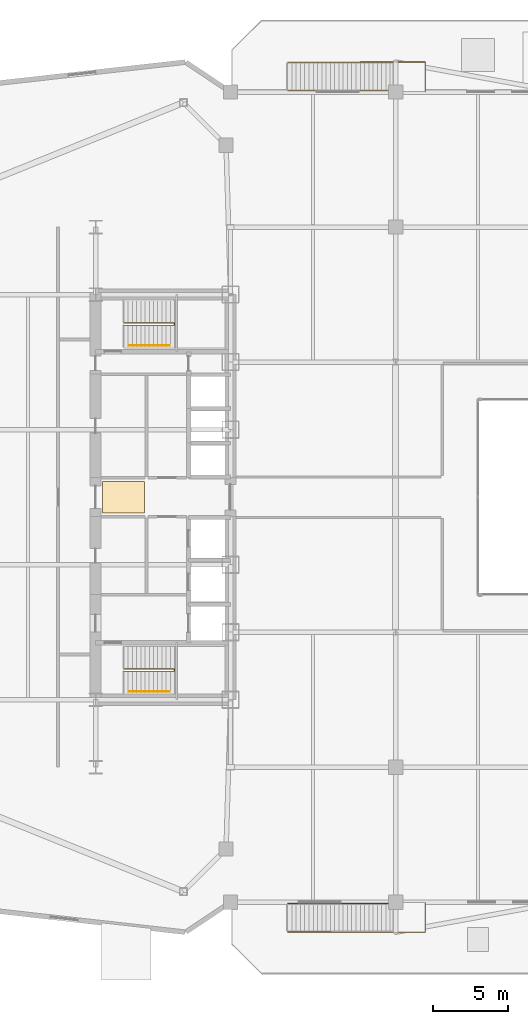
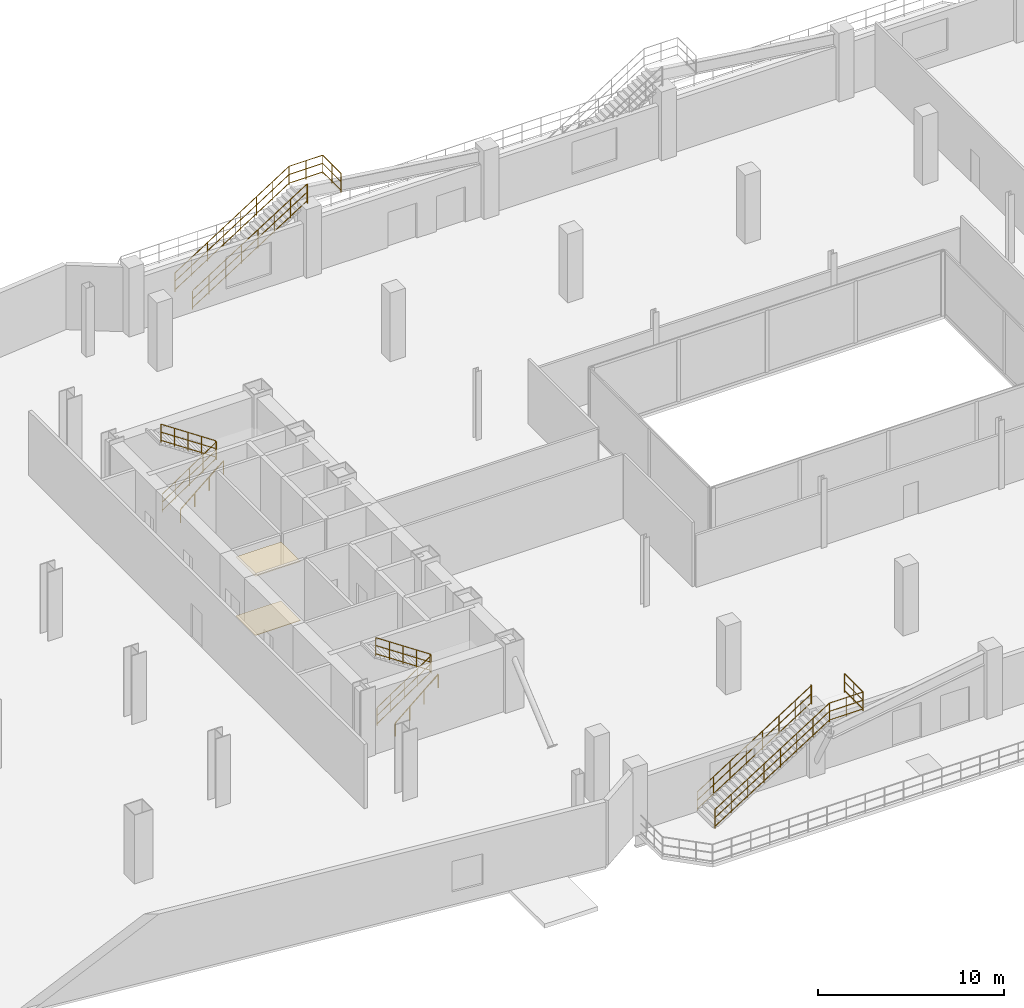
# One storey, part 22 of 25: 8 railings, 2 coverings.
"""IFC4 building model written with IfcOpenShell, lengths in metres."""

import ifcopenshell
import ifcopenshell.guid

model = None  # the IFC model being written
_history = None  # IfcOwnerHistory: only IFC2X3 demands one
_inside = {}  # id of a spatial element -> (the spatial element, [elements in it])
_under = {}  # id of a project, library or spatial element -> (it, [spatial elements below it])
_declared = {}  # id of a project -> (the project, [libraries it declares])
_typed = {}  # id of a type object -> (the type object, [elements of that type])
_made_of = {}  # id of a material, layer set ... -> (it, [elements and type objects made of it])


def new_model(schema):
    """Start an empty IFC model of exactly this schema.

    Asked for "IFC4X3", IfcOpenShell would pick the latest addendum, in which some entities
    have other attributes; the version numbers below select the first issue.
    IFC2X3 requires an IfcOwnerHistory on every rooted entity: one is made here for all.
    """
    global model, _history
    if schema == "IFC4X3":
        model = ifcopenshell.file(schema_version=(4, 3, 0, 0))
    else:
        model = ifcopenshell.file(schema=schema)
    _inside.clear()
    _under.clear()
    _declared.clear()
    _typed.clear()
    _made_of.clear()
    _history = None
    if model.schema == "IFC2X3":
        org = make("IfcOrganization", Name="unknown")
        user = make(
            "IfcPersonAndOrganization",
            ThePerson=make("IfcPerson", FamilyName="unknown"),
            TheOrganization=org,
        )
        app = make(
            "IfcApplication",
            ApplicationDeveloper=org,
            Version="unknown",
            ApplicationFullName="unknown",
            ApplicationIdentifier="unknown",
        )
        _history = make(
            "IfcOwnerHistory",
            OwningUser=user,
            OwningApplication=app,
            ChangeAction="ADDED",
            CreationDate=0,
        )
    return model


def make(cls, **values):
    """One entity of the class cls with the attributes given. An attribute that is None is left unset."""
    return model.create_entity(
        cls, **{name: value for name, value in values.items() if value is not None}
    )


def rooted(cls, **values):
    """An entity with a GlobalId (a new one), such as an element, a storey or a relation."""
    return make(cls, GlobalId=ifcopenshell.guid.new(), OwnerHistory=_history, **values)


def si_unit(unit_type, name, prefix=None):
    """IfcSIUnit, for example si_unit("LENGTHUNIT", "METRE", prefix="MILLI")."""
    return make("IfcSIUnit", UnitType=unit_type, Prefix=prefix, Name=name)


def assignment(units):
    """IfcUnitAssignment: the units of a project."""
    return None if units is None else make("IfcUnitAssignment", Units=units)


def point(xyz):
    """IfcCartesianPoint."""
    return None if xyz is None else make("IfcCartesianPoint", Coordinates=xyz)


def direction(xyz):
    """IfcDirection."""
    return None if xyz is None else make("IfcDirection", DirectionRatios=xyz)


def frame(location, z_axis=None, x_axis=None):
    """IfcAxis2Placement3D, a coordinate frame: its origin and axes. An axis left out is left unset."""
    return make(
        "IfcAxis2Placement3D",
        Location=point(location),
        Axis=direction(z_axis),
        RefDirection=direction(x_axis),
    )


def frame_2d(location, x_axis=None):
    """IfcAxis2Placement2D, a coordinate frame in the plane: its origin and x axis."""
    return make(
        "IfcAxis2Placement2D", Location=point(location), RefDirection=direction(x_axis)
    )


def origin():
    """The frame at (0, 0, 0) with its axes left unset."""
    return frame((0.0, 0.0, 0.0))


def origin_2d():
    """The frame at (0, 0) in the plane with its x axis left unset."""
    return frame_2d((0.0, 0.0))


def place(relative_to, where):
    """IfcLocalPlacement: puts the frame where relative to a parent placement (None: the world)."""
    return make(
        "IfcLocalPlacement", PlacementRelTo=relative_to, RelativePlacement=where
    )


def context(
    kind, dimensions, precision=None, world=None, true_north=None, identifier=None
):
    """IfcGeometricRepresentationContext, for example the 3D "Model" context."""
    return make(
        "IfcGeometricRepresentationContext",
        ContextIdentifier=identifier,
        ContextType=kind,
        CoordinateSpaceDimension=dimensions,
        Precision=precision,
        WorldCoordinateSystem=world,
        TrueNorth=true_north,
    )


def subcontext(parent, identifier, kind, view, scale=None):
    """IfcGeometricRepresentationSubContext, for example "Body" below "Model"."""
    return make(
        "IfcGeometricRepresentationSubContext",
        ContextIdentifier=identifier,
        ContextType=kind,
        ParentContext=parent,
        TargetScale=scale,
        TargetView=view,
    )


def project(units=None, contexts=None):
    """IfcProject with its units and contexts."""
    return rooted(
        "IfcProject",
        Name="project",
        RepresentationContexts=contexts,
        UnitsInContext=assignment(units),
    )


def spatial(cls, under=None, at=None, **own):
    """A site, building, storey or space (cls), placed at a placement, below another one or the project."""
    s = rooted(cls, ObjectPlacement=at, **own)
    if under is not None:
        _under.setdefault(under.id(), (under, []))[1].append(s)
    return s


def polyline(points):
    """IfcPolyline through the points."""
    return make("IfcPolyline", Points=[point(p) for p in points])


def profile(cls, at=None, kind="AREA", **sizes):
    """A parametric profile (cls). Its sizes go by their IFC names, for example OverallWidth=200.0."""
    return make(cls, ProfileType=kind, Position=at, **sizes)


def circle(**sizes):
    """IfcCircleProfileDef."""
    return profile("IfcCircleProfileDef", **sizes)


def outline(outer, holes=None, kind="AREA"):
    """IfcArbitraryClosedProfileDef: a profile drawn as a closed curve; with holes, ...WithVoids."""
    if holes is None:
        return make("IfcArbitraryClosedProfileDef", ProfileType=kind, OuterCurve=outer)
    return make(
        "IfcArbitraryProfileDefWithVoids",
        ProfileType=kind,
        OuterCurve=outer,
        InnerCurves=holes,
    )


def extrude(swept, where, along, depth):
    """IfcExtrudedAreaSolid: the profile swept, set in the frame where, extruded along a direction by depth."""
    return make(
        "IfcExtrudedAreaSolid",
        SweptArea=swept,
        Position=where,
        ExtrudedDirection=direction(along),
        Depth=depth,
    )


def shape(context_of_items, identifier, shape_type, items):
    """IfcShapeRepresentation: the items that make up one representation, for example the "Body"."""
    return make(
        "IfcShapeRepresentation",
        ContextOfItems=context_of_items,
        RepresentationIdentifier=identifier,
        RepresentationType=shape_type,
        Items=items,
    )


def material(Name=None, Category=None):
    """IfcMaterial."""
    return make("IfcMaterial", Name=Name, Category=Category)


def layer(
    of_material, thickness, ventilated=None, Name=None, Category=None, Priority=None
):
    """IfcMaterialLayer: one layer of a wall or slab, of a material (None: an air gap)."""
    return make(
        "IfcMaterialLayer",
        Material=of_material,
        LayerThickness=thickness,
        IsVentilated=ventilated,
        Name=Name,
        Category=Category,
        Priority=Priority,
    )


def layer_set(layers, Name=None):
    """IfcMaterialLayerSet."""
    return make("IfcMaterialLayerSet", MaterialLayers=layers, LayerSetName=Name)


def made_of(thing, what):
    """Note that an element or type object is made of a material, layer set ...; save() writes the relation."""
    if what is not None:
        _made_of.setdefault(what.id(), (what, []))[1].append(thing)
    return thing


def type_object(cls, material=None, **own):
    """A type object (cls), such as IfcWallType, which elements share."""
    return made_of(rooted(cls, **own), material)


def element(
    cls,
    number,
    at=None,
    inside=None,
    cuts=None,
    type_object=None,
    material=None,
    context=None,
    identifier="Body",
    shape_type=None,
    held_by="IfcProductDefinitionShape",
    body=None,
    shapes=None,
    **own,
):
    """One element of the class cls, such as IfcWall. Its Tag is "e" and its number.

    at: its placement. inside: the storey or other place that contains it. cuts: it is an
    opening in that element (IfcRelVoidsElement). A single representation is given by context,
    identifier, shape_type and body (its items); several are given by shapes. held_by: the class
    of the entity that holds the representations. save() writes the other relations.
    """
    e = rooted(cls, Tag="e%d" % number, ObjectPlacement=at, **own)
    if body is not None:
        shapes = [shape(context, identifier, shape_type, body)]
    if shapes is not None:
        e.Representation = make(held_by, Representations=shapes)
    if inside is not None:
        _inside.setdefault(inside.id(), (inside, []))[1].append(e)
    if cuts is not None:
        rooted(
            "IfcRelVoidsElement", RelatingBuildingElement=cuts, RelatedOpeningElement=e
        )
    if type_object is not None:
        _typed.setdefault(type_object.id(), (type_object, []))[1].append(e)
    return made_of(e, material)


def aggregate(whole, parts):
    """IfcRelAggregates: a whole, such as a stair, and the parts it consists of."""
    return rooted("IfcRelAggregates", RelatingObject=whole, RelatedObjects=parts)


def save(model, path):
    """Write the relations noted so far, then the file.

    IfcRelAggregates (storeys below a building ...), IfcRelContainedInSpatialStructure (elements
    in a storey), IfcRelDefinesByType, IfcRelAssociatesMaterial and IfcRelDeclares: one each for
    every whole, place, type object, material and project.
    """
    for whole, parts in _under.values():
        aggregate(whole, parts)
    for where, things in _inside.values():
        rooted(
            "IfcRelContainedInSpatialStructure",
            RelatedElements=things,
            RelatingStructure=where,
        )
    for kind, things in _typed.values():
        rooted("IfcRelDefinesByType", RelatedObjects=things, RelatingType=kind)
    for what, things in _made_of.values():
        rooted("IfcRelAssociatesMaterial", RelatedObjects=things, RelatingMaterial=what)
    for by, libraries in _declared.values():
        rooted("IfcRelDeclares", RelatingContext=by, RelatedDefinitions=libraries)
    model.write(path)


model = new_model("IFC4")

# Units and contexts
model_context = context("Model", 3, precision=1e-05, world=origin(), true_north=direction((0.0, 1.0)))
body_context = subcontext(model_context, "Body", "Model", "MODEL_VIEW")
ifc_project = project(units=[si_unit("LENGTHUNIT", "METRE"), si_unit("AREAUNIT", "SQUARE_METRE"), si_unit("VOLUMEUNIT", "CUBIC_METRE"), si_unit("PLANEANGLEUNIT", "RADIAN"), si_unit("MASSUNIT", "GRAM", prefix="KILO")], contexts=[model_context])

# Site, building, storey
site_placement = place(None, origin())
site = spatial("IfcSite", under=ifc_project, at=site_placement, CompositionType="ELEMENT")
building_placement = place(site_placement, origin())
building = spatial("IfcBuilding", under=site, at=building_placement, Name="Seokmaru Belvedere", CompositionType="ELEMENT")
storey_placement = place(building_placement, frame((0.0, 0.0, 5.39990234375)))
storey = spatial("IfcBuildingStorey", under=building, at=storey_placement, Name="L01", CompositionType="ELEMENT", Elevation=5.39990234375)

# Coverings
ifc_material_1 = material(Name="Honed Incheon Granite Stone", Category="masonry")
ifc_layer_1 = layer(ifc_material_1, 0.030029296875)
ifc_layer_set_1 = layer_set([ifc_layer_1], Name="Honed Incheon Granite Stone")
covering_type_1 = type_object("IfcCoveringType", Name="Honed Granite Lobby Floor Finish 30", PredefinedType="FLOORING", material=ifc_layer_set_1)
covering_1_placement = place(storey_placement, origin())
element("IfcCovering", 1, at=covering_1_placement, inside=storey, type_object=covering_type_1, Name="L01 W Foyer Floor Finish", PredefinedType="FLOORING", context=body_context, shape_type="SweptSolid", body=[
    extrude(outline(polyline([(-36.050048828125, -1.050048828125), (-33.25, -1.050048828125), (-33.25, 1.050048828125), (-36.050048828125, 1.050048828125), (-36.050048828125, -1.050048828125)])), origin(), (0.0, 0.0, 1.0), 0.030029296875),
])
ifc_material_2 = material(Name="Fire-Rated Gypsum Shaftwall")
ifc_layer_2 = layer(ifc_material_2, 0.02490234375)
ifc_layer_set_2 = layer_set([ifc_layer_2], Name="Fire-Rated Gypsum Shaftwall")
covering_type_2 = type_object("IfcCoveringType", Name="Perforated Acoustic Gypsum Suspended Ceiling 25", PredefinedType="CEILING", material=ifc_layer_set_2)
covering_2_placement = place(storey_placement, frame((0.0, 0.0, 3.8701171875)))
element("IfcCovering", 2, at=covering_2_placement, inside=storey, type_object=covering_type_2, Name="L01 W Lift Foyer Acoustic Ceiling", PredefinedType="CEILING", context=body_context, shape_type="SweptSolid", body=[
    extrude(outline(polyline([(-36.050048828125, -1.050048828125), (-33.25, -1.050048828125), (-33.25, 1.050048828125), (-36.050048828125, 1.050048828125), (-36.050048828125, -1.050048828125)])), origin(), (0.0, 0.0, 1.0), 0.02490234375),
])

# Railings
ifc_material_3 = material(Name="Stainless Steel 316", Category="steel")
railing_type_1 = type_object("IfcRailingType", Name="Podium Garden Terrace Guardrail 1250", PredefinedType="GUARDRAIL", material=ifc_material_3)
railing_1_placement = place(storey_placement, frame((-23.699951171875, 28.97998046875, 0.0)))
element("IfcRailing", 3, at=railing_1_placement, inside=storey, type_object=railing_type_1, Name="L01 Terrace Stair Outer Guardrail N1", PredefinedType="GUARDRAIL", context=body_context, shape_type="SweptSolid", body=[
    extrude(circle(Radius=0.02392578125, at=origin_2d()), frame((0.0, 0.0, 1.22607421875), z_axis=(0.844123489745, 0.00238518698, 0.536143492867), x_axis=(-0.002825626211, 0.99999600791, 0.0)), (0.0, 0.0, 1.0), 8.393310546875),
    extrude(circle(Radius=0.02392578125, at=origin_2d()), frame((0.0, 0.0, 0.1201171875), z_axis=(0.844123489745, 0.00238518698, 0.536143492867), x_axis=(-0.002825626211, 0.99999600791, 0.0)), (0.0, 0.0, 1.0), 8.393310546875),
    extrude(circle(Radius=0.02392578125, at=origin_2d()), frame((0.0, 0.0, 0.6875), z_axis=(0.844123489745, 0.00238518698, 0.536143492867), x_axis=(-0.002825626211, 0.99999600791, 0.0)), (0.0, 0.0, 1.0), 8.393310546875),
    extrude(circle(Radius=0.02392578125, at=origin_2d()), frame((7.0849609375, 0.02001953125, 5.72607421875), z_axis=(1.0, 0.0, 0.0), x_axis=(0.0, 1.0, 0.0)), (0.0, 0.0, 1.0), 2.080078125),
    extrude(circle(Radius=0.02392578125, at=origin_2d()), frame((7.0849609375, 0.02001953125, 4.6201171875), z_axis=(1.0, 0.0, 0.0), x_axis=(0.0, 1.0, 0.0)), (0.0, 0.0, 1.0), 2.080078125),
    extrude(circle(Radius=0.02392578125, at=origin_2d()), frame((7.0849609375, 0.02001953125, 5.1875), z_axis=(1.0, 0.0, 0.0), x_axis=(0.0, 1.0, 0.0)), (0.0, 0.0, 1.0), 2.080078125),
    extrude(circle(Radius=0.02392578125, at=origin_2d()), frame((9.1650390625, 0.02001953125, 5.72607421875), z_axis=(0.0, -1.0, 0.0), x_axis=(1.0, 0.0, 0.0)), (0.0, 0.0, 1.0), 1.97998046875),
    extrude(circle(Radius=0.02392578125, at=origin_2d()), frame((9.1650390625, 0.02001953125, 4.6201171875), z_axis=(0.0, -1.0, 0.0), x_axis=(1.0, 0.0, 0.0)), (0.0, 0.0, 1.0), 1.97998046875),
    extrude(circle(Radius=0.02392578125, at=origin_2d()), frame((9.1650390625, 0.02001953125, 5.1875), z_axis=(0.0, -1.0, 0.0), x_axis=(1.0, 0.0, 0.0)), (0.0, 0.0, 1.0), 1.97998046875),
    extrude(circle(Radius=0.02099609375, at=origin_2d()), origin(), (0.0, 0.0, 1.0), 1.201904296875),
    extrude(circle(Radius=0.02099609375, at=origin_2d()), frame((1.01220703125, 0.0029296875, 0.642822265625)), (0.0, 0.0, 1.0), 1.201904296875),
    extrude(circle(Radius=0.02099609375, at=origin_2d()), frame((2.024169921875, 0.005615234375, 1.28564453125)), (0.0, 0.0, 1.0), 1.201904296875),
    extrude(circle(Radius=0.02099609375, at=origin_2d()), frame((3.036376953125, 0.008544921875, 1.928466796875)), (0.0, 0.0, 1.0), 1.201904296875),
    extrude(circle(Radius=0.02099609375, at=origin_2d()), frame((4.048583984375, 0.011474609375, 2.571533203125)), (0.0, 0.0, 1.0), 1.201904296875),
    extrude(circle(Radius=0.02099609375, at=origin_2d()), frame((5.060791015625, 0.014404296875, 3.21435546875)), (0.0, 0.0, 1.0), 1.201904296875),
    extrude(circle(Radius=0.02099609375, at=origin_2d()), frame((6.07275390625, 0.01708984375, 3.857177734375)), (0.0, 0.0, 1.0), 1.201904296875),
    extrude(circle(Radius=0.02099609375, at=origin_2d()), frame((7.0849609375, 0.02001953125, 4.5)), (0.0, 0.0, 1.0), 1.201904296875),
    extrude(circle(Radius=0.02099609375, at=origin_2d()), frame((8.125, 0.02001953125, 4.5)), (0.0, 0.0, 1.0), 1.201904296875),
    extrude(circle(Radius=0.02099609375, at=origin_2d()), frame((9.1650390625, 0.02001953125, 4.5)), (0.0, 0.0, 1.0), 1.201904296875),
    extrude(circle(Radius=0.02099609375, at=origin_2d()), frame((9.1650390625, -0.969970703125, 4.5)), (0.0, 0.0, 1.0), 1.201904296875),
    extrude(circle(Radius=0.02099609375, at=origin_2d()), frame((9.1650390625, -1.9599609375, 4.5)), (0.0, 0.0, 1.0), 1.201904296875),
])
railing_2_placement = place(storey_placement, frame((-23.699951171875, 27.080078125, 0.0)))
element("IfcRailing", 4, at=railing_2_placement, inside=storey, type_object=railing_type_1, Name="L01 Terrace Stair Inner Guardrail N1", PredefinedType="GUARDRAIL", context=body_context, shape_type="SweptSolid", body=[
    extrude(circle(Radius=0.02392578125, at=origin_2d()), frame((0.0, 0.0, 1.22607421875), z_axis=(0.844125890914, 0.0, 0.536145017965), x_axis=(0.0, 1.0, 0.0)), (0.0, 0.0, 1.0), 8.393310546875),
    extrude(circle(Radius=0.02392578125, at=origin_2d()), frame((0.0, 0.0, 0.1201171875), z_axis=(0.844125890914, 0.0, 0.536145017965), x_axis=(0.0, 1.0, 0.0)), (0.0, 0.0, 1.0), 8.393310546875),
    extrude(circle(Radius=0.02392578125, at=origin_2d()), frame((0.0, 0.0, 0.6875), z_axis=(0.844125890914, 0.0, 0.536145017965), x_axis=(0.0, 1.0, 0.0)), (0.0, 0.0, 1.0), 8.393310546875),
    extrude(circle(Radius=0.02392578125, at=origin_2d()), frame((7.0849609375, 0.0, 5.72607421875), z_axis=(0.0, -1.0, 0.0), x_axis=(1.0, 0.0, 0.0)), (0.0, 0.0, 1.0), 0.06005859375),
    extrude(circle(Radius=0.02392578125, at=origin_2d()), frame((7.0849609375, 0.0, 4.6201171875), z_axis=(0.0, -1.0, 0.0), x_axis=(1.0, 0.0, 0.0)), (0.0, 0.0, 1.0), 0.06005859375),
    extrude(circle(Radius=0.02392578125, at=origin_2d()), frame((7.0849609375, 0.0, 5.1875), z_axis=(0.0, -1.0, 0.0), x_axis=(1.0, 0.0, 0.0)), (0.0, 0.0, 1.0), 0.06005859375),
    extrude(circle(Radius=0.02099609375, at=origin_2d()), origin(), (0.0, 0.0, 1.0), 1.201904296875),
    extrude(circle(Radius=0.02099609375, at=origin_2d()), frame((1.01220703125, 0.0, 0.642822265625)), (0.0, 0.0, 1.0), 1.201904296875),
    extrude(circle(Radius=0.02099609375, at=origin_2d()), frame((2.024169921875, 0.0, 1.28564453125)), (0.0, 0.0, 1.0), 1.201904296875),
    extrude(circle(Radius=0.02099609375, at=origin_2d()), frame((3.036376953125, 0.0, 1.928466796875)), (0.0, 0.0, 1.0), 1.201904296875),
    extrude(circle(Radius=0.02099609375, at=origin_2d()), frame((4.048583984375, 0.0, 2.571533203125)), (0.0, 0.0, 1.0), 1.201904296875),
    extrude(circle(Radius=0.02099609375, at=origin_2d()), frame((5.060791015625, 0.0, 3.21435546875)), (0.0, 0.0, 1.0), 1.201904296875),
    extrude(circle(Radius=0.02099609375, at=origin_2d()), frame((6.07275390625, 0.0, 3.857177734375)), (0.0, 0.0, 1.0), 1.201904296875),
    extrude(circle(Radius=0.02099609375, at=origin_2d()), frame((7.0849609375, 0.0, 4.5)), (0.0, 0.0, 1.0), 1.201904296875),
    extrude(circle(Radius=0.02099609375, at=origin_2d()), frame((7.0849609375, -0.06005859375, 4.5)), (0.0, 0.0, 1.0), 1.201904296875),
])
railing_3_placement = place(storey_placement, frame((-23.699951171875, -28.97998046875, 0.0)))
element("IfcRailing", 5, at=railing_3_placement, inside=storey, type_object=railing_type_1, Name="L01 Terrace Stair Outer Guardrail S1", PredefinedType="GUARDRAIL", context=body_context, shape_type="SweptSolid", body=[
    extrude(circle(Radius=0.02392578125, at=origin_2d()), frame((0.0, 0.0, 1.22607421875), z_axis=(0.844123489745, -0.00238518698, 0.536143492867), x_axis=(0.002825626211, 0.99999600791, 0.0)), (0.0, 0.0, 1.0), 8.393310546875),
    extrude(circle(Radius=0.02392578125, at=origin_2d()), frame((0.0, 0.0, 0.1201171875), z_axis=(0.844123489745, -0.00238518698, 0.536143492867), x_axis=(0.002825626211, 0.99999600791, 0.0)), (0.0, 0.0, 1.0), 8.393310546875),
    extrude(circle(Radius=0.02392578125, at=origin_2d()), frame((0.0, 0.0, 0.6875), z_axis=(0.844123489745, -0.00238518698, 0.536143492867), x_axis=(0.002825626211, 0.99999600791, 0.0)), (0.0, 0.0, 1.0), 8.393310546875),
    extrude(circle(Radius=0.02392578125, at=origin_2d()), frame((7.0849609375, -0.02001953125, 5.72607421875), z_axis=(1.0, 0.0, 0.0), x_axis=(0.0, 1.0, 0.0)), (0.0, 0.0, 1.0), 2.080078125),
    extrude(circle(Radius=0.02392578125, at=origin_2d()), frame((7.0849609375, -0.02001953125, 4.6201171875), z_axis=(1.0, 0.0, 0.0), x_axis=(0.0, 1.0, 0.0)), (0.0, 0.0, 1.0), 2.080078125),
    extrude(circle(Radius=0.02392578125, at=origin_2d()), frame((7.0849609375, -0.02001953125, 5.1875), z_axis=(1.0, 0.0, 0.0), x_axis=(0.0, 1.0, 0.0)), (0.0, 0.0, 1.0), 2.080078125),
    extrude(circle(Radius=0.02392578125, at=origin_2d()), frame((9.1650390625, -0.02001953125, 5.72607421875), z_axis=(0.0, 1.0, 0.0), x_axis=(-1.0, 0.0, 0.0)), (0.0, 0.0, 1.0), 1.97998046875),
    extrude(circle(Radius=0.02392578125, at=origin_2d()), frame((9.1650390625, -0.02001953125, 4.6201171875), z_axis=(0.0, 1.0, 0.0), x_axis=(-1.0, 0.0, 0.0)), (0.0, 0.0, 1.0), 1.97998046875),
    extrude(circle(Radius=0.02392578125, at=origin_2d()), frame((9.1650390625, -0.02001953125, 5.1875), z_axis=(0.0, 1.0, 0.0), x_axis=(-1.0, 0.0, 0.0)), (0.0, 0.0, 1.0), 1.97998046875),
    extrude(circle(Radius=0.02099609375, at=origin_2d()), origin(), (0.0, 0.0, 1.0), 1.201904296875),
    extrude(circle(Radius=0.02099609375, at=origin_2d()), frame((1.01220703125, -0.0029296875, 0.642822265625)), (0.0, 0.0, 1.0), 1.201904296875),
    extrude(circle(Radius=0.02099609375, at=origin_2d()), frame((2.024169921875, -0.005615234375, 1.28564453125)), (0.0, 0.0, 1.0), 1.201904296875),
    extrude(circle(Radius=0.02099609375, at=origin_2d()), frame((3.036376953125, -0.008544921875, 1.928466796875)), (0.0, 0.0, 1.0), 1.201904296875),
    extrude(circle(Radius=0.02099609375, at=origin_2d()), frame((4.048583984375, -0.011474609375, 2.571533203125)), (0.0, 0.0, 1.0), 1.201904296875),
    extrude(circle(Radius=0.02099609375, at=origin_2d()), frame((5.060791015625, -0.014404296875, 3.21435546875)), (0.0, 0.0, 1.0), 1.201904296875),
    extrude(circle(Radius=0.02099609375, at=origin_2d()), frame((6.07275390625, -0.01708984375, 3.857177734375)), (0.0, 0.0, 1.0), 1.201904296875),
    extrude(circle(Radius=0.02099609375, at=origin_2d()), frame((7.0849609375, -0.02001953125, 4.5)), (0.0, 0.0, 1.0), 1.201904296875),
    extrude(circle(Radius=0.02099609375, at=origin_2d()), frame((8.125, -0.02001953125, 4.5)), (0.0, 0.0, 1.0), 1.201904296875),
    extrude(circle(Radius=0.02099609375, at=origin_2d()), frame((9.1650390625, -0.02001953125, 4.5)), (0.0, 0.0, 1.0), 1.201904296875),
    extrude(circle(Radius=0.02099609375, at=origin_2d()), frame((9.1650390625, 0.969970703125, 4.5)), (0.0, 0.0, 1.0), 1.201904296875),
    extrude(circle(Radius=0.02099609375, at=origin_2d()), frame((9.1650390625, 1.9599609375, 4.5)), (0.0, 0.0, 1.0), 1.201904296875),
])
railing_4_placement = place(storey_placement, frame((-23.699951171875, -27.080078125, 0.0)))
element("IfcRailing", 6, at=railing_4_placement, inside=storey, type_object=railing_type_1, Name="L01 Terrace Stair Inner Guardrail S1", PredefinedType="GUARDRAIL", context=body_context, shape_type="SweptSolid", body=[
    extrude(circle(Radius=0.02392578125, at=origin_2d()), frame((0.0, 0.0, 1.22607421875), z_axis=(0.844125890914, 0.0, 0.536145017965), x_axis=(0.0, 1.0, 0.0)), (0.0, 0.0, 1.0), 8.393310546875),
    extrude(circle(Radius=0.02392578125, at=origin_2d()), frame((0.0, 0.0, 0.1201171875), z_axis=(0.844125890914, 0.0, 0.536145017965), x_axis=(0.0, 1.0, 0.0)), (0.0, 0.0, 1.0), 8.393310546875),
    extrude(circle(Radius=0.02392578125, at=origin_2d()), frame((0.0, 0.0, 0.6875), z_axis=(0.844125890914, 0.0, 0.536145017965), x_axis=(0.0, 1.0, 0.0)), (0.0, 0.0, 1.0), 8.393310546875),
    extrude(circle(Radius=0.02392578125, at=origin_2d()), frame((7.0849609375, 0.0, 5.72607421875), z_axis=(0.0, 1.0, 0.0), x_axis=(-1.0, 0.0, 0.0)), (0.0, 0.0, 1.0), 0.06005859375),
    extrude(circle(Radius=0.02392578125, at=origin_2d()), frame((7.0849609375, 0.0, 4.6201171875), z_axis=(0.0, 1.0, 0.0), x_axis=(-1.0, 0.0, 0.0)), (0.0, 0.0, 1.0), 0.06005859375),
    extrude(circle(Radius=0.02392578125, at=origin_2d()), frame((7.0849609375, 0.0, 5.1875), z_axis=(0.0, 1.0, 0.0), x_axis=(-1.0, 0.0, 0.0)), (0.0, 0.0, 1.0), 0.06005859375),
    extrude(circle(Radius=0.02099609375, at=origin_2d()), origin(), (0.0, 0.0, 1.0), 1.201904296875),
    extrude(circle(Radius=0.02099609375, at=origin_2d()), frame((1.01220703125, 0.0, 0.642822265625)), (0.0, 0.0, 1.0), 1.201904296875),
    extrude(circle(Radius=0.02099609375, at=origin_2d()), frame((2.024169921875, 0.0, 1.28564453125)), (0.0, 0.0, 1.0), 1.201904296875),
    extrude(circle(Radius=0.02099609375, at=origin_2d()), frame((3.036376953125, 0.0, 1.928466796875)), (0.0, 0.0, 1.0), 1.201904296875),
    extrude(circle(Radius=0.02099609375, at=origin_2d()), frame((4.048583984375, 0.0, 2.571533203125)), (0.0, 0.0, 1.0), 1.201904296875),
    extrude(circle(Radius=0.02099609375, at=origin_2d()), frame((5.060791015625, 0.0, 3.21435546875)), (0.0, 0.0, 1.0), 1.201904296875),
    extrude(circle(Radius=0.02099609375, at=origin_2d()), frame((6.07275390625, 0.0, 3.857177734375)), (0.0, 0.0, 1.0), 1.201904296875),
    extrude(circle(Radius=0.02099609375, at=origin_2d()), frame((7.0849609375, 0.0, 4.5)), (0.0, 0.0, 1.0), 1.201904296875),
    extrude(circle(Radius=0.02099609375, at=origin_2d()), frame((7.0849609375, 0.06005859375, 4.5)), (0.0, 0.0, 1.0), 1.201904296875),
])
railing_type_2 = type_object("IfcRailingType", Name="Stainless Steel Wall and Flight Handrail 900", PredefinedType="HANDRAIL", material=ifc_material_3)
for number, where, name in (
    (7, (-34.25, -12.949951171875, 0.0), "L01 Stair ST-W1 Wall Handrail"),
    (8, (-34.25, 10.110107421875, 0.0), "L01 Stair ST-W2 Wall Handrail"),
):
    element("IfcRailing", number, at=place(storey_placement, frame(where)), inside=storey, type_object=railing_type_2, Name=name, PredefinedType="HANDRAIL", context=body_context, shape_type="SweptSolid", body=[
        extrude(circle(Radius=0.02392578125, at=origin_2d()), frame((0.0, 0.0, 0.8759765625), z_axis=(0.763484625413, 0.0, 0.64582600347), x_axis=(0.0, 1.0, 0.0)), (0.0, 0.0, 1.0), 3.48388671875),
        extrude(circle(Radius=0.02099609375, at=origin_2d()), origin(), (0.0, 0.0, 1.0), 0.851806640625),
        extrude(circle(Radius=0.02099609375, at=origin_2d()), frame((0.88671875, 0.0, 0.75)), (0.0, 0.0, 1.0), 0.851806640625),
        extrude(circle(Radius=0.02099609375, at=origin_2d()), frame((1.773193359375, 0.0, 1.5)), (0.0, 0.0, 1.0), 0.851806640625),
        extrude(circle(Radius=0.02099609375, at=origin_2d()), frame((2.659912109375, 0.0, 2.25)), (0.0, 0.0, 1.0), 0.851806640625),
    ])
railing_type_3 = type_object("IfcRailingType", Name="Stair Well and Atrium Steel Guardrail 1200", PredefinedType="GUARDRAIL", material=ifc_material_3)
railing_5_placement = place(storey_placement, frame((-34.60009765625, -11.60009765625, 0.0)))
element("IfcRailing", 9, at=railing_5_placement, inside=storey, type_object=railing_type_3, Name="L01 Stair ST-W1 Inner Well Guardrail", PredefinedType="GUARDRAIL", context=body_context, shape_type="SweptSolid", body=[
    extrude(circle(Radius=0.02392578125, at=origin_2d()), frame((0.0, 0.0, 1.17578125), z_axis=(0.830915400975, 0.0, 0.556398774641), x_axis=(0.0, 1.0, 0.0)), (0.0, 0.0, 1.0), 4.0439453125),
    extrude(circle(Radius=0.02392578125, at=origin_2d()), frame((0.0, 0.0, 0.1201171875), z_axis=(0.830915400975, 0.0, 0.556398774641), x_axis=(0.0, 1.0, 0.0)), (0.0, 0.0, 1.0), 4.0439453125),
    extrude(circle(Radius=0.02392578125, at=origin_2d()), frame((0.0, 0.0, 0.659912109375), z_axis=(0.830915400975, 0.0, 0.556398774641), x_axis=(0.0, 1.0, 0.0)), (0.0, 0.0, 1.0), 4.0439453125),
    extrude(circle(Radius=0.02392578125, at=origin_2d()), frame((3.360107421875, 0.0, 3.42578125), z_axis=(0.0, 1.0, 0.0), x_axis=(-1.0, 0.0, 0.0)), (0.0, 0.0, 1.0), 0.14013671875),
    extrude(circle(Radius=0.02392578125, at=origin_2d()), frame((3.360107421875, 0.0, 2.3701171875), z_axis=(0.0, 1.0, 0.0), x_axis=(-1.0, 0.0, 0.0)), (0.0, 0.0, 1.0), 0.14013671875),
    extrude(circle(Radius=0.02392578125, at=origin_2d()), frame((3.360107421875, 0.0, 2.909912109375), z_axis=(0.0, 1.0, 0.0), x_axis=(-1.0, 0.0, 0.0)), (0.0, 0.0, 1.0), 0.14013671875),
    extrude(circle(Radius=0.02392578125, at=origin_2d()), frame((3.360107421875, 0.14013671875, 3.42578125), z_axis=(-0.830915400975, 0.0, 0.556398774641), x_axis=(0.0, -1.0, 0.0)), (0.0, 0.0, 1.0), 4.0439453125),
    extrude(circle(Radius=0.02392578125, at=origin_2d()), frame((3.360107421875, 0.14013671875, 2.3701171875), z_axis=(-0.830915400975, 0.0, 0.556398774641), x_axis=(0.0, -1.0, 0.0)), (0.0, 0.0, 1.0), 4.0439453125),
    extrude(circle(Radius=0.02392578125, at=origin_2d()), frame((3.360107421875, 0.14013671875, 2.909912109375), z_axis=(-0.830915400975, 0.0, 0.556398774641), x_axis=(0.0, -1.0, 0.0)), (0.0, 0.0, 1.0), 4.0439453125),
    extrude(circle(Radius=0.02099609375, at=origin_2d()), origin(), (0.0, 0.0, 1.0), 1.15185546875),
    extrude(circle(Radius=0.02099609375, at=origin_2d()), frame((0.840087890625, 0.0, 0.5625)), (0.0, 0.0, 1.0), 1.15185546875),
    extrude(circle(Radius=0.02099609375, at=origin_2d()), frame((1.68017578125, 0.0, 1.125)), (0.0, 0.0, 1.0), 1.15185546875),
    extrude(circle(Radius=0.02099609375, at=origin_2d()), frame((2.52001953125, 0.0, 1.6875)), (0.0, 0.0, 1.0), 1.15185546875),
    extrude(circle(Radius=0.02099609375, at=origin_2d()), frame((3.360107421875, 0.0, 2.25)), (0.0, 0.0, 1.0), 1.15185546875),
    extrude(circle(Radius=0.02099609375, at=origin_2d()), frame((3.360107421875, 0.14013671875, 2.25)), (0.0, 0.0, 1.0), 1.15185546875),
    extrude(circle(Radius=0.02099609375, at=origin_2d()), frame((2.52001953125, 0.14013671875, 2.8125)), (0.0, 0.0, 1.0), 1.15185546875),
    extrude(circle(Radius=0.02099609375, at=origin_2d()), frame((1.68017578125, 0.14013671875, 3.375)), (0.0, 0.0, 1.0), 1.15185546875),
    extrude(circle(Radius=0.02099609375, at=origin_2d()), frame((0.840087890625, 0.14013671875, 3.9375)), (0.0, 0.0, 1.0), 1.15185546875),
    extrude(circle(Radius=0.02099609375, at=origin_2d()), frame((0.0, 0.14013671875, 4.5)), (0.0, 0.0, 1.0), 1.15185546875),
])
railing_6_placement = place(storey_placement, frame((-34.60009765625, 11.4599609375, 0.0)))
element("IfcRailing", 10, at=railing_6_placement, inside=storey, type_object=railing_type_3, Name="L01 Stair ST-W2 Inner Well Guardrail", PredefinedType="GUARDRAIL", context=body_context, shape_type="SweptSolid", body=[
    extrude(circle(Radius=0.02392578125, at=origin_2d()), frame((0.0, 0.0, 1.17578125), z_axis=(0.830915400975, 0.0, 0.556398774641), x_axis=(0.0, 1.0, 0.0)), (0.0, 0.0, 1.0), 4.0439453125),
    extrude(circle(Radius=0.02392578125, at=origin_2d()), frame((0.0, 0.0, 0.1201171875), z_axis=(0.830915400975, 0.0, 0.556398774641), x_axis=(0.0, 1.0, 0.0)), (0.0, 0.0, 1.0), 4.0439453125),
    extrude(circle(Radius=0.02392578125, at=origin_2d()), frame((0.0, 0.0, 0.659912109375), z_axis=(0.830915400975, 0.0, 0.556398774641), x_axis=(0.0, 1.0, 0.0)), (0.0, 0.0, 1.0), 4.0439453125),
    extrude(circle(Radius=0.02392578125, at=origin_2d()), frame((3.360107421875, 0.0, 3.42578125), z_axis=(0.0, 1.0, 0.0), x_axis=(-1.0, 0.0, 0.0)), (0.0, 0.0, 1.0), 0.14013671875),
    extrude(circle(Radius=0.02392578125, at=origin_2d()), frame((3.360107421875, 0.0, 2.3701171875), z_axis=(0.0, 1.0, 0.0), x_axis=(-1.0, 0.0, 0.0)), (0.0, 0.0, 1.0), 0.14013671875),
    extrude(circle(Radius=0.02392578125, at=origin_2d()), frame((3.360107421875, 0.0, 2.909912109375), z_axis=(0.0, 1.0, 0.0), x_axis=(-1.0, 0.0, 0.0)), (0.0, 0.0, 1.0), 0.14013671875),
    extrude(circle(Radius=0.02392578125, at=origin_2d()), frame((3.360107421875, 0.14013671875, 3.42578125), z_axis=(-0.830915400975, 0.0, 0.556398774641), x_axis=(0.0, -1.0, 0.0)), (0.0, 0.0, 1.0), 4.0439453125),
    extrude(circle(Radius=0.02392578125, at=origin_2d()), frame((3.360107421875, 0.14013671875, 2.3701171875), z_axis=(-0.830915400975, 0.0, 0.556398774641), x_axis=(0.0, -1.0, 0.0)), (0.0, 0.0, 1.0), 4.0439453125),
    extrude(circle(Radius=0.02392578125, at=origin_2d()), frame((3.360107421875, 0.14013671875, 2.909912109375), z_axis=(-0.830915400975, 0.0, 0.556398774641), x_axis=(0.0, -1.0, 0.0)), (0.0, 0.0, 1.0), 4.0439453125),
    extrude(circle(Radius=0.02099609375, at=origin_2d()), origin(), (0.0, 0.0, 1.0), 1.15185546875),
    extrude(circle(Radius=0.02099609375, at=origin_2d()), frame((0.840087890625, 0.0, 0.5625)), (0.0, 0.0, 1.0), 1.15185546875),
    extrude(circle(Radius=0.02099609375, at=origin_2d()), frame((1.68017578125, 0.0, 1.125)), (0.0, 0.0, 1.0), 1.15185546875),
    extrude(circle(Radius=0.02099609375, at=origin_2d()), frame((2.52001953125, 0.0, 1.6875)), (0.0, 0.0, 1.0), 1.15185546875),
    extrude(circle(Radius=0.02099609375, at=origin_2d()), frame((3.360107421875, 0.0, 2.25)), (0.0, 0.0, 1.0), 1.15185546875),
    extrude(circle(Radius=0.02099609375, at=origin_2d()), frame((3.360107421875, 0.14013671875, 2.25)), (0.0, 0.0, 1.0), 1.15185546875),
    extrude(circle(Radius=0.02099609375, at=origin_2d()), frame((2.52001953125, 0.14013671875, 2.8125)), (0.0, 0.0, 1.0), 1.15185546875),
    extrude(circle(Radius=0.02099609375, at=origin_2d()), frame((1.68017578125, 0.14013671875, 3.375)), (0.0, 0.0, 1.0), 1.15185546875),
    extrude(circle(Radius=0.02099609375, at=origin_2d()), frame((0.840087890625, 0.14013671875, 3.9375)), (0.0, 0.0, 1.0), 1.15185546875),
    extrude(circle(Radius=0.02099609375, at=origin_2d()), frame((0.0, 0.14013671875, 4.5)), (0.0, 0.0, 1.0), 1.15185546875),
])

save(model, "model.ifc")
